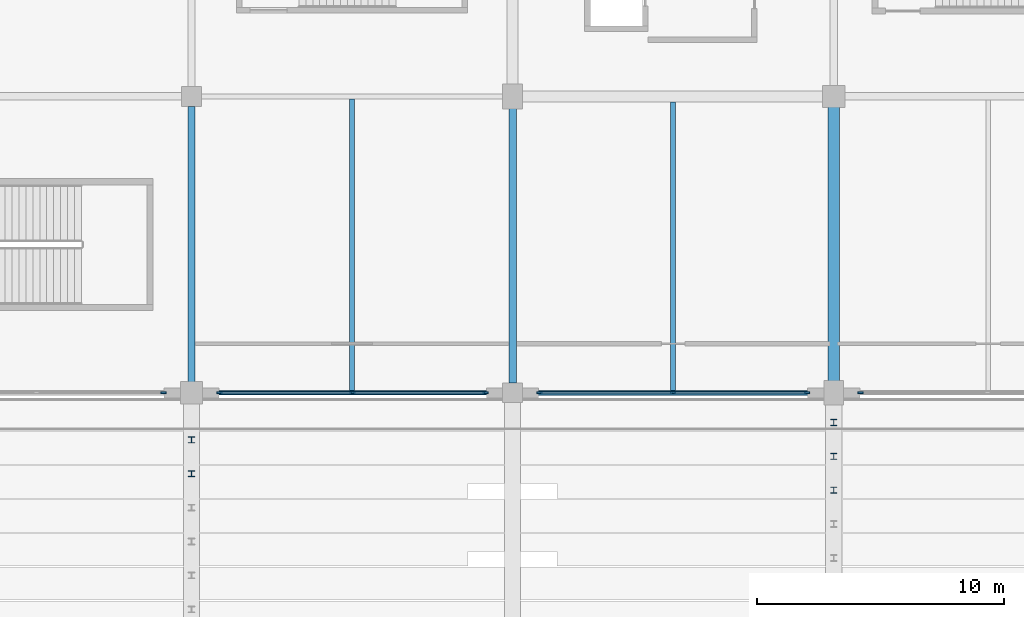
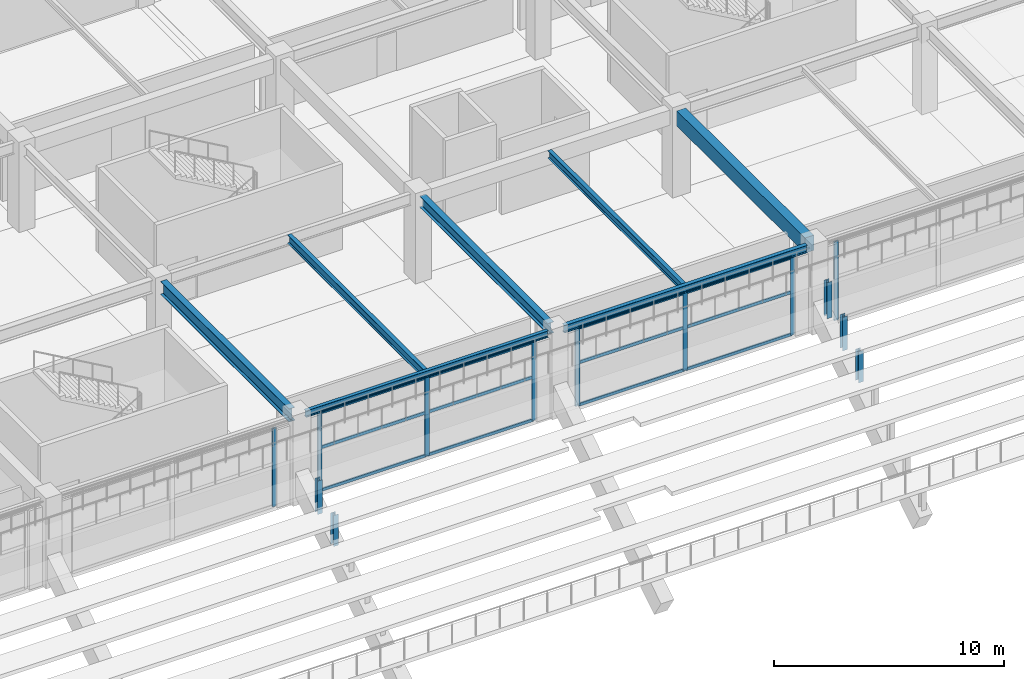
# One storey, part 57 of 134: 25 members, 7 beams, 4 elements without a shape of their own.
"""IFC4 building model written with IfcOpenShell, lengths in metres."""

from ifc_helpers import new_model, si_unit, direction, frame, origin, origin_2d, place, context, subcontext, project, spatial, rectangle, i_section, extrude, material, layer, layer_set, material_profile, profile_set, type_object, element, aggregate, save


model = new_model("IFC4")

# Units and contexts
model_context = context("Model", 3, precision=1e-05, world=origin(), true_north=direction((0.0, 1.0)))
body_context = subcontext(model_context, "Body", "Model", "MODEL_VIEW")
ifc_project = project(units=[si_unit("LENGTHUNIT", "METRE"), si_unit("AREAUNIT", "SQUARE_METRE"), si_unit("VOLUMEUNIT", "CUBIC_METRE"), si_unit("PLANEANGLEUNIT", "RADIAN"), si_unit("MASSUNIT", "GRAM", prefix="KILO")], contexts=[model_context])

# Site, building, storey
site_placement = place(None, origin())
site = spatial("IfcSite", under=ifc_project, at=site_placement, CompositionType="ELEMENT")
building_placement = place(site_placement, origin())
building = spatial("IfcBuilding", under=site, at=building_placement, Name="Kazenohara Klinker Stadium", CompositionType="ELEMENT")
storey_placement = place(building_placement, frame((0.0, 0.0, 5.39990234375)))
storey = spatial("IfcBuildingStorey", under=building, at=storey_placement, Name="L01", CompositionType="ELEMENT", Elevation=5.39990234375)

# Beams
ifc_material_1 = material(Name="Steel S355", Category="steel")
ifc_material_profile_1 = material_profile(ifc_material_1, i_section(OverallWidth=0.199951171875, OverallDepth=0.449951171875, WebThickness=0.009033203125, FlangeThickness=0.013916015625, FilletRadius=0.012939453125, at=origin_2d()), Name="H-450x200x9x14")
ifc_profile_set_1 = profile_set([ifc_material_profile_1], Name="Steel S355")
beam_type_1 = type_object("IfcBeamType", Name="BM-JST02", PredefinedType="JOIST", material=ifc_profile_set_1)
beam_1_placement = place(storey_placement, frame((105.5, 132.08740234375, 4.3251953125), z_axis=(0.0, 1.0, 0.0), x_axis=(-1.0, 0.0, 0.0)))
element("IfcBeam", 1, at=beam_1_placement, inside=storey, type_object=beam_type_1, Name="Secondary floor joist SJ02 L01 9/M", PredefinedType="JOIST", context=body_context, shape_type="SweptSolid", body=[
    extrude(i_section(OverallWidth=0.199951171875, OverallDepth=0.449951171875, WebThickness=0.009033203125, FlangeThickness=0.013916015625, FilletRadius=0.012939453125, at=origin_2d()), origin(), (0.0, 0.0, 1.0), 11.8125),
])
ifc_material_profile_2 = material_profile(ifc_material_1, i_section(OverallWidth=0.199951171875, OverallDepth=0.39990234375, WebThickness=0.008056640625, FlangeThickness=0.012939453125, FilletRadius=0.012939453125, at=origin_2d()), Name="H-400x200x8x13")
ifc_profile_set_2 = profile_set([ifc_material_profile_2], Name="Steel S355")
beam_type_2 = type_object("IfcBeamType", Name="BM-JST03", PredefinedType="JOIST", material=ifc_profile_set_2)
beam_2_placement = place(storey_placement, frame((118.5, 132.10009765625, 4.35009765625), z_axis=(0.0, 1.0, 0.0), x_axis=(-1.0, 0.0, 0.0)))
element("IfcBeam", 2, at=beam_2_placement, inside=storey, type_object=beam_type_2, Name="Secondary floor joist SJ03 L01 10/M", PredefinedType="JOIST", context=body_context, shape_type="SweptSolid", body=[
    extrude(i_section(OverallWidth=0.199951171875, OverallDepth=0.39990234375, WebThickness=0.008056640625, FlangeThickness=0.012939453125, FilletRadius=0.012939453125, at=origin_2d()), origin(), (0.0, 0.0, 1.0), 11.6748046875),
])
ifc_material_2 = material(Name="Concrete C40/50", Category="concrete")
ifc_material_profile_3 = material_profile(ifc_material_2, rectangle(XDim=0.449951171875, YDim=0.800048828125, at=origin_2d()), Name="RC-BM-450x800")
ifc_profile_set_3 = profile_set([ifc_material_profile_3], Name="Concrete C40/50")
beam_type_3 = type_object("IfcBeamType", Name="BM-RC03", PredefinedType="BEAM", material=ifc_profile_set_3)
beam_3_placement = place(storey_placement, frame((125.0, 132.419921875, 4.150146484375), z_axis=(0.0, 1.0, 0.0), x_axis=(-1.0, 0.0, 0.0)))
element("IfcBeam", 3, at=beam_3_placement, inside=storey, type_object=beam_type_3, Name="Primary girder BG03 L01 11/M-N", PredefinedType="BEAM", context=body_context, shape_type="SweptSolid", body=[
    extrude(rectangle(XDim=0.449951171875, YDim=0.800048828125, at=origin_2d()), origin(), (0.0, 0.0, 1.0), 11.16015625),
])
ifc_material_profile_4 = material_profile(ifc_material_1, i_section(OverallWidth=0.199951171875, OverallDepth=0.39990234375, WebThickness=0.008056640625, FlangeThickness=0.012939453125, FilletRadius=0.012939453125, at=origin_2d()), Name="H-400x200x8x13")
ifc_profile_set_4 = profile_set([ifc_material_profile_4], Name="Steel S355")
beam_type_4 = type_object("IfcBeamType", Name="BM-SPD01", PredefinedType="SPANDREL", material=ifc_profile_set_4)
beam_4_placement = place(storey_placement, frame((112.39990234375, 132.0, 4.35009765625), z_axis=(1.0, 0.0, 0.0), x_axis=(0.0, 1.0, 0.0)))
element("IfcBeam", 4, at=beam_4_placement, inside=storey, type_object=beam_type_4, Name="Primary girder SP01 L01 10-11/M", PredefinedType="SPANDREL", context=body_context, shape_type="SweptSolid", body=[
    extrude(i_section(OverallWidth=0.199951171875, OverallDepth=0.39990234375, WebThickness=0.008056640625, FlangeThickness=0.012939453125, FilletRadius=0.012939453125, at=origin_2d()), origin(), (0.0, 0.0, 1.0), 12.2001953125),
])
ifc_material_profile_5 = material_profile(ifc_material_1, i_section(OverallWidth=0.175048828125, OverallDepth=0.35009765625, WebThickness=0.007080078125, FlangeThickness=0.010986328125, FilletRadius=0.012939453125, at=origin_2d()), Name="H-350x175x7x11")
ifc_profile_set_5 = profile_set([ifc_material_profile_5], Name="Steel S355")
beam_type_5 = type_object("IfcBeamType", Name="BM-SPD02", PredefinedType="SPANDREL", material=ifc_profile_set_5)
beam_5_placement = place(storey_placement, frame((99.419921875, 132.0, 4.375), z_axis=(1.0, 0.0, 0.0), x_axis=(0.0, 1.0, 0.0)))
element("IfcBeam", 5, at=beam_5_placement, inside=storey, type_object=beam_type_5, Name="Primary girder SP02 L01 9-10/M", PredefinedType="SPANDREL", context=body_context, shape_type="SweptSolid", body=[
    extrude(i_section(OverallWidth=0.175048828125, OverallDepth=0.35009765625, WebThickness=0.007080078125, FlangeThickness=0.010986328125, FilletRadius=0.012939453125, at=origin_2d()), origin(), (0.0, 0.0, 1.0), 12.18017578125),
])
ifc_material_profile_6 = material_profile(ifc_material_1, i_section(OverallWidth=0.300048828125, OverallDepth=0.699951171875, WebThickness=0.012939453125, FlangeThickness=0.02392578125, FilletRadius=0.02197265625, at=origin_2d()), Name="H-700x300x13x24")
ifc_profile_set_6 = profile_set([ifc_material_profile_6], Name="Steel S355")
beam_type_6 = type_object("IfcBeamType", Name="BM-ST03", PredefinedType="BEAM", material=ifc_profile_set_6)
beam_6_placement = place(storey_placement, frame((99.0, 132.419921875, 4.2001953125), z_axis=(0.0, 1.0, 0.0), x_axis=(-1.0, 0.0, 0.0)))
element("IfcBeam", 6, at=beam_6_placement, inside=storey, type_object=beam_type_6, Name="Primary girder SB03 L01 9/M-N", PredefinedType="BEAM", context=body_context, shape_type="SweptSolid", body=[
    extrude(i_section(OverallWidth=0.300048828125, OverallDepth=0.699951171875, WebThickness=0.012939453125, FlangeThickness=0.02392578125, FilletRadius=0.02197265625, at=origin_2d()), origin(), (0.0, 0.0, 1.0), 11.18017578125),
])
ifc_material_profile_7 = material_profile(ifc_material_1, i_section(OverallWidth=0.300048828125, OverallDepth=0.587890625, WebThickness=0.011962890625, FlangeThickness=0.02001953125, FilletRadius=0.02197265625, at=origin_2d()), Name="H-588x300x12x20")
ifc_profile_set_7 = profile_set([ifc_material_profile_7], Name="Steel S355")
beam_type_7 = type_object("IfcBeamType", Name="BM-ST05", PredefinedType="BEAM", material=ifc_profile_set_7)
beam_7_placement = place(storey_placement, frame((112.0, 132.39990234375, 4.256103515625), z_axis=(0.0, 1.0, 0.0), x_axis=(-1.0, 0.0, 0.0)))
element("IfcBeam", 7, at=beam_7_placement, inside=storey, type_object=beam_type_7, Name="Primary girder SB05 L01 10/M-N", PredefinedType="BEAM", context=body_context, shape_type="SweptSolid", body=[
    extrude(i_section(OverallWidth=0.300048828125, OverallDepth=0.587890625, WebThickness=0.011962890625, FlangeThickness=0.02001953125, FilletRadius=0.02197265625, at=origin_2d()), origin(), (0.0, 0.0, 1.0), 11.18017578125),
])

# Curtain wall, member
ifc_material_3 = material(Name="Anodised aluminium and triple glazing", Category="aluminium")
ifc_layer_1 = layer(ifc_material_3, 0.18994140625)
ifc_layer_set_1 = layer_set([ifc_layer_1], Name="Anodised aluminium and triple glazing")
curtain_wall_type_1 = type_object("IfcCurtainWallType", Name="CW-SYS-05", PredefinedType="USERDEFINED", material=ifc_layer_set_1)
curtain_wall_1_placement = place(storey_placement, origin())
curtain_wall_1 = element("IfcCurtainWall", 8, at=curtain_wall_1_placement, inside=storey, type_object=curtain_wall_type_1, Name="Unitised facade curtain wall CW05 L01 X7-11", ObjectType="UNITISED CURTAIN WALL", PredefinedType="USERDEFINED")
ifc_material_4 = material(Name="Anodised aluminium 6063-T6", Category="aluminium")
ifc_material_profile_8 = material_profile(ifc_material_4, rectangle(XDim=0.074951171875, YDim=0.219970703125, at=origin_2d()), Name="ALU-MUL-75x220")
ifc_profile_set_8 = profile_set([ifc_material_profile_8], Name="Anodised aluminium 6063-T6")
member_type_1 = type_object("IfcMemberType", Name="CW-MUL-220", PredefinedType="MULLION", material=ifc_profile_set_8)
member_1_placement = place(storey_placement, frame((97.8583984375, 132.0, 0.0), z_axis=(0.0, 0.0, 1.0), x_axis=(0.0, 1.0, 0.0)))
member_1 = element("IfcMember", 9, at=member_1_placement, type_object=member_type_1, Name="CW05 mullion 3", PredefinedType="MULLION", context=body_context, shape_type="SweptSolid", body=[
    extrude(rectangle(XDim=0.074951171875, YDim=0.219970703125, at=origin_2d()), origin(), (0.0, 0.0, 1.0), 4.150146484375),
])
aggregate(curtain_wall_1, [member_1])

# Curtain wall, members
ifc_layer_2 = layer(ifc_material_3, 0.179931640625)
ifc_layer_set_2 = layer_set([ifc_layer_2], Name="Anodised aluminium and triple glazing")
curtain_wall_type_2 = type_object("IfcCurtainWallType", Name="CW-SYS-02", PredefinedType="USERDEFINED", material=ifc_layer_set_2)
curtain_wall_2_placement = place(storey_placement, origin())
curtain_wall_2 = element("IfcCurtainWall", 10, at=curtain_wall_2_placement, inside=storey, type_object=curtain_wall_type_2, Name="Unitised facade curtain wall CW02 L01 X8-11", ObjectType="UNITISED CURTAIN WALL", PredefinedType="USERDEFINED")
member_2_placement = place(storey_placement, frame((100.1416015625, 132.0, 0.0), z_axis=(0.0, 0.0, 1.0), x_axis=(0.0, 1.0, 0.0)))
member_2 = element("IfcMember", 11, at=member_2_placement, type_object=member_type_1, Name="CW02 mullion 1", PredefinedType="MULLION", context=body_context, shape_type="SweptSolid", body=[
    extrude(rectangle(XDim=0.074951171875, YDim=0.219970703125, at=origin_2d()), origin(), (0.0, 0.0, 1.0), 4.2001953125),
])
member_3_placement = place(storey_placement, frame((105.52490234375, 132.0, 0.0), z_axis=(0.0, 0.0, 1.0), x_axis=(0.0, 1.0, 0.0)))
member_3 = element("IfcMember", 12, at=member_3_placement, type_object=member_type_1, Name="CW02 mullion 2", PredefinedType="MULLION", context=body_context, shape_type="SweptSolid", body=[
    extrude(rectangle(XDim=0.074951171875, YDim=0.219970703125, at=origin_2d()), origin(), (0.0, 0.0, 1.0), 4.2001953125),
])
member_4_placement = place(storey_placement, frame((110.908447265625, 132.0, 0.0), z_axis=(0.0, 0.0, 1.0), x_axis=(0.0, 1.0, 0.0)))
member_4 = element("IfcMember", 13, at=member_4_placement, type_object=member_type_1, Name="CW02 mullion 3", PredefinedType="MULLION", context=body_context, shape_type="SweptSolid", body=[
    extrude(rectangle(XDim=0.074951171875, YDim=0.219970703125, at=origin_2d()), origin(), (0.0, 0.0, 1.0), 4.2001953125),
])

ifc_layer_3 = layer(ifc_material_3, 0.169921875)
ifc_layer_set_3 = layer_set([ifc_layer_3], Name="Anodised aluminium and triple glazing")
curtain_wall_type_3 = type_object("IfcCurtainWallType", Name="CW-SYS-04", PredefinedType="USERDEFINED", material=ifc_layer_set_3)
curtain_wall_3_placement = place(storey_placement, origin())
curtain_wall_3 = element("IfcCurtainWall", 14, at=curtain_wall_3_placement, inside=storey, type_object=curtain_wall_type_3, Name="Unitised facade curtain wall CW04 L01 X9-11", ObjectType="UNITISED CURTAIN WALL", PredefinedType="USERDEFINED")
member_5_placement = place(storey_placement, frame((113.091552734375, 132.0, 0.0), z_axis=(0.0, 0.0, 1.0), x_axis=(0.0, 1.0, 0.0)))
member_5 = element("IfcMember", 15, at=member_5_placement, type_object=member_type_1, Name="CW04 mullion 1", PredefinedType="MULLION", context=body_context, shape_type="SweptSolid", body=[
    extrude(rectangle(XDim=0.074951171875, YDim=0.219970703125, at=origin_2d()), origin(), (0.0, 0.0, 1.0), 4.150146484375),
])
member_6_placement = place(storey_placement, frame((118.5, 132.0, 0.0), z_axis=(0.0, 0.0, 1.0), x_axis=(0.0, 1.0, 0.0)))
member_6 = element("IfcMember", 16, at=member_6_placement, type_object=member_type_1, Name="CW04 mullion 2", PredefinedType="MULLION", context=body_context, shape_type="SweptSolid", body=[
    extrude(rectangle(XDim=0.074951171875, YDim=0.219970703125, at=origin_2d()), origin(), (0.0, 0.0, 1.0), 4.150146484375),
])
member_7_placement = place(storey_placement, frame((123.908447265625, 132.0, 0.0), z_axis=(0.0, 0.0, 1.0), x_axis=(0.0, 1.0, 0.0)))
member_7 = element("IfcMember", 17, at=member_7_placement, type_object=member_type_1, Name="CW04 mullion 3", PredefinedType="MULLION", context=body_context, shape_type="SweptSolid", body=[
    extrude(rectangle(XDim=0.074951171875, YDim=0.219970703125, at=origin_2d()), origin(), (0.0, 0.0, 1.0), 4.150146484375),
])

# Curtain wall, member
ifc_layer_4 = layer(ifc_material_3, 0.159912109375)
ifc_layer_set_4 = layer_set([ifc_layer_4], Name="Anodised aluminium and triple glazing")
curtain_wall_type_4 = type_object("IfcCurtainWallType", Name="CW-SYS-01", PredefinedType="USERDEFINED", material=ifc_layer_set_4)
curtain_wall_4_placement = place(storey_placement, origin())
curtain_wall_4 = element("IfcCurtainWall", 18, at=curtain_wall_4_placement, inside=storey, type_object=curtain_wall_type_4, Name="Unitised facade curtain wall CW01 L01 X10-11", ObjectType="UNITISED CURTAIN WALL", PredefinedType="USERDEFINED")
member_8_placement = place(storey_placement, frame((126.091552734375, 132.0, 0.0), z_axis=(0.0, 0.0, 1.0), x_axis=(0.0, 1.0, 0.0)))
member_8 = element("IfcMember", 19, at=member_8_placement, type_object=member_type_1, Name="CW01 mullion 1", PredefinedType="MULLION", context=body_context, shape_type="SweptSolid", body=[
    extrude(rectangle(XDim=0.074951171875, YDim=0.219970703125, at=origin_2d()), origin(), (0.0, 0.0, 1.0), 4.2001953125),
])
aggregate(curtain_wall_4, [member_8])

# Member
ifc_material_profile_9 = material_profile(ifc_material_4, rectangle(XDim=0.074951171875, YDim=0.159912109375, at=origin_2d()), Name="ALU-TRN-75x160")
ifc_profile_set_9 = profile_set([ifc_material_profile_9], Name="Anodised aluminium 6063-T6")
member_type_2 = type_object("IfcMemberType", Name="CW-TRN-160", PredefinedType="USERDEFINED", material=ifc_profile_set_9)
member_9_placement = place(storey_placement, frame((100.178955078125, 132.0, 0.03759765625), z_axis=(1.0, 0.0, 0.0), x_axis=(0.0, 1.0, 0.0)))
member_9 = element("IfcMember", 20, at=member_9_placement, type_object=member_type_2, Name="CW02 transom 1.1", ObjectType="TRANSOM", PredefinedType="USERDEFINED", context=body_context, shape_type="SweptSolid", body=[
    extrude(rectangle(XDim=0.074951171875, YDim=0.159912109375, at=origin_2d()), origin(), (0.0, 0.0, 1.0), 5.30859375),
])

member_10_placement = place(storey_placement, frame((100.178955078125, 132.0, 2.31005859375), z_axis=(1.0, 0.0, 0.0), x_axis=(0.0, 1.0, 0.0)))
member_10 = element("IfcMember", 21, at=member_10_placement, type_object=member_type_2, Name="CW02 transom 1.2", ObjectType="TRANSOM", PredefinedType="USERDEFINED", context=body_context, shape_type="SweptSolid", body=[
    extrude(rectangle(XDim=0.074951171875, YDim=0.159912109375, at=origin_2d()), origin(), (0.0, 0.0, 1.0), 5.30859375),
])

member_11_placement = place(storey_placement, frame((100.178955078125, 132.0, 4.16259765625), z_axis=(1.0, 0.0, 0.0), x_axis=(0.0, 1.0, 0.0)))
member_11 = element("IfcMember", 22, at=member_11_placement, type_object=member_type_2, Name="CW02 transom 1.3", ObjectType="TRANSOM", PredefinedType="USERDEFINED", context=body_context, shape_type="SweptSolid", body=[
    extrude(rectangle(XDim=0.074951171875, YDim=0.159912109375, at=origin_2d()), origin(), (0.0, 0.0, 1.0), 5.30859375),
])

member_12_placement = place(storey_placement, frame((105.5625, 132.0, 0.03759765625), z_axis=(1.0, 0.0, 0.0), x_axis=(0.0, 1.0, 0.0)))
member_12 = element("IfcMember", 23, at=member_12_placement, type_object=member_type_2, Name="CW02 transom 2.1", ObjectType="TRANSOM", PredefinedType="USERDEFINED", context=body_context, shape_type="SweptSolid", body=[
    extrude(rectangle(XDim=0.074951171875, YDim=0.159912109375, at=origin_2d()), origin(), (0.0, 0.0, 1.0), 5.30859375),
])

member_13_placement = place(storey_placement, frame((105.5625, 132.0, 2.31005859375), z_axis=(1.0, 0.0, 0.0), x_axis=(0.0, 1.0, 0.0)))
member_13 = element("IfcMember", 24, at=member_13_placement, type_object=member_type_2, Name="CW02 transom 2.2", ObjectType="TRANSOM", PredefinedType="USERDEFINED", context=body_context, shape_type="SweptSolid", body=[
    extrude(rectangle(XDim=0.074951171875, YDim=0.159912109375, at=origin_2d()), origin(), (0.0, 0.0, 1.0), 5.30859375),
])

member_14_placement = place(storey_placement, frame((105.5625, 132.0, 4.16259765625), z_axis=(1.0, 0.0, 0.0), x_axis=(0.0, 1.0, 0.0)))
member_14 = element("IfcMember", 25, at=member_14_placement, type_object=member_type_2, Name="CW02 transom 2.3", ObjectType="TRANSOM", PredefinedType="USERDEFINED", context=body_context, shape_type="SweptSolid", body=[
    extrude(rectangle(XDim=0.074951171875, YDim=0.159912109375, at=origin_2d()), origin(), (0.0, 0.0, 1.0), 5.30859375),
])

aggregate(curtain_wall_2, [member_2, member_3, member_4, member_9, member_10, member_11, member_12, member_13, member_14])

member_15_placement = place(storey_placement, frame((113.12890625, 132.0, 0.03759765625), z_axis=(1.0, 0.0, 0.0), x_axis=(0.0, 1.0, 0.0)))
member_15 = element("IfcMember", 26, at=member_15_placement, type_object=member_type_2, Name="CW04 transom 1.1", ObjectType="TRANSOM", PredefinedType="USERDEFINED", context=body_context, shape_type="SweptSolid", body=[
    extrude(rectangle(XDim=0.074951171875, YDim=0.159912109375, at=origin_2d()), origin(), (0.0, 0.0, 1.0), 5.33349609375),
])

member_16_placement = place(storey_placement, frame((113.12890625, 132.0, 2.28271484375), z_axis=(1.0, 0.0, 0.0), x_axis=(0.0, 1.0, 0.0)))
member_16 = element("IfcMember", 27, at=member_16_placement, type_object=member_type_2, Name="CW04 transom 1.2", ObjectType="TRANSOM", PredefinedType="USERDEFINED", context=body_context, shape_type="SweptSolid", body=[
    extrude(rectangle(XDim=0.074951171875, YDim=0.159912109375, at=origin_2d()), origin(), (0.0, 0.0, 1.0), 5.33349609375),
])

member_17_placement = place(storey_placement, frame((113.12890625, 132.0, 4.112548828125), z_axis=(1.0, 0.0, 0.0), x_axis=(0.0, 1.0, 0.0)))
member_17 = element("IfcMember", 28, at=member_17_placement, type_object=member_type_2, Name="CW04 transom 1.3", ObjectType="TRANSOM", PredefinedType="USERDEFINED", context=body_context, shape_type="SweptSolid", body=[
    extrude(rectangle(XDim=0.074951171875, YDim=0.159912109375, at=origin_2d()), origin(), (0.0, 0.0, 1.0), 5.33349609375),
])

member_18_placement = place(storey_placement, frame((118.53759765625, 132.0, 0.03759765625), z_axis=(1.0, 0.0, 0.0), x_axis=(0.0, 1.0, 0.0)))
member_18 = element("IfcMember", 29, at=member_18_placement, type_object=member_type_2, Name="CW04 transom 2.1", ObjectType="TRANSOM", PredefinedType="USERDEFINED", context=body_context, shape_type="SweptSolid", body=[
    extrude(rectangle(XDim=0.074951171875, YDim=0.159912109375, at=origin_2d()), origin(), (0.0, 0.0, 1.0), 5.33349609375),
])

member_19_placement = place(storey_placement, frame((118.53759765625, 132.0, 2.28271484375), z_axis=(1.0, 0.0, 0.0), x_axis=(0.0, 1.0, 0.0)))
member_19 = element("IfcMember", 30, at=member_19_placement, type_object=member_type_2, Name="CW04 transom 2.2", ObjectType="TRANSOM", PredefinedType="USERDEFINED", context=body_context, shape_type="SweptSolid", body=[
    extrude(rectangle(XDim=0.074951171875, YDim=0.159912109375, at=origin_2d()), origin(), (0.0, 0.0, 1.0), 5.33349609375),
])

member_20_placement = place(storey_placement, frame((118.53759765625, 132.0, 4.112548828125), z_axis=(1.0, 0.0, 0.0), x_axis=(0.0, 1.0, 0.0)))
member_20 = element("IfcMember", 31, at=member_20_placement, type_object=member_type_2, Name="CW04 transom 2.3", ObjectType="TRANSOM", PredefinedType="USERDEFINED", context=body_context, shape_type="SweptSolid", body=[
    extrude(rectangle(XDim=0.074951171875, YDim=0.159912109375, at=origin_2d()), origin(), (0.0, 0.0, 1.0), 5.33349609375),
])

aggregate(curtain_wall_3, [member_5, member_6, member_7, member_15, member_16, member_17, member_18, member_19, member_20])

# Members
ifc_material_profile_10 = material_profile(ifc_material_1, i_section(OverallWidth=0.25, OverallDepth=0.25, WebThickness=0.009033203125, FlangeThickness=0.013916015625, FilletRadius=0.012939453125, at=origin_2d()), Name="H-250x250x9x14")
ifc_profile_set_10 = profile_set([ifc_material_profile_10], Name="Steel S355")
member_type_3 = type_object("IfcMemberType", Name="MEM-STR02", PredefinedType="STRUT", material=ifc_profile_set_10)
member_21_placement = place(storey_placement, frame((125.0, 130.801513671875, 1.2783203125), z_axis=(0.0, 0.0, 1.0), x_axis=(1.0, 0.0, 0.0)))
element("IfcMember", 32, at=member_21_placement, inside=storey, type_object=member_type_3, Name="Precast tier riser stool LOWER-N-01-10", PredefinedType="STRUT", context=body_context, shape_type="SweptSolid", body=[
    extrude(i_section(OverallWidth=0.25, OverallDepth=0.25, WebThickness=0.009033203125, FlangeThickness=0.013916015625, FilletRadius=0.012939453125, at=origin_2d()), origin(), (0.0, 0.0, 1.0), 1.911865234375),
])
for number, where, z_axis, x_axis, name in (
    (33, (99.0, 130.095703125, 0.407470703125), (0.0, 0.0, 1.0), (1.0, 0.0, 0.0), "Precast tier riser stool LOWER-N-02-08"),
    (34, (125.0, 129.429931640625, 0.407470703125), (0.0, 0.0, 1.0), (1.0, 0.0, 0.0), "Precast tier riser stool LOWER-N-02-10"),
):
    element("IfcMember", number, at=place(storey_placement, frame(where, z_axis=z_axis, x_axis=x_axis)), inside=storey, type_object=member_type_3, Name=name, PredefinedType="STRUT", context=body_context, shape_type="SweptSolid", body=[
        extrude(i_section(OverallWidth=0.25, OverallDepth=0.25, WebThickness=0.009033203125, FlangeThickness=0.013916015625, FilletRadius=0.012939453125, at=origin_2d()), origin(), (0.0, 0.0, 1.0), 1.78271484375),
    ])
for number, where, z_axis, x_axis, name in (
    (35, (99.0, 128.724365234375, -0.463134765625), (0.0, 0.0, 1.0), (1.0, 0.0, 0.0), "Precast tier riser stool LOWER-N-03-08"),
    (36, (125.0, 128.05859375, -0.463134765625), (0.0, 0.0, 1.0), (1.0, 0.0, 0.0), "Precast tier riser stool LOWER-N-03-10"),
):
    element("IfcMember", number, at=place(storey_placement, frame(where, z_axis=z_axis, x_axis=x_axis)), inside=storey, type_object=member_type_3, Name=name, PredefinedType="STRUT", context=body_context, shape_type="SweptSolid", body=[
        extrude(i_section(OverallWidth=0.25, OverallDepth=0.25, WebThickness=0.009033203125, FlangeThickness=0.013916015625, FilletRadius=0.012939453125, at=origin_2d()), origin(), (0.0, 0.0, 1.0), 1.6533203125),
    ])

save(model, "model.ifc")
